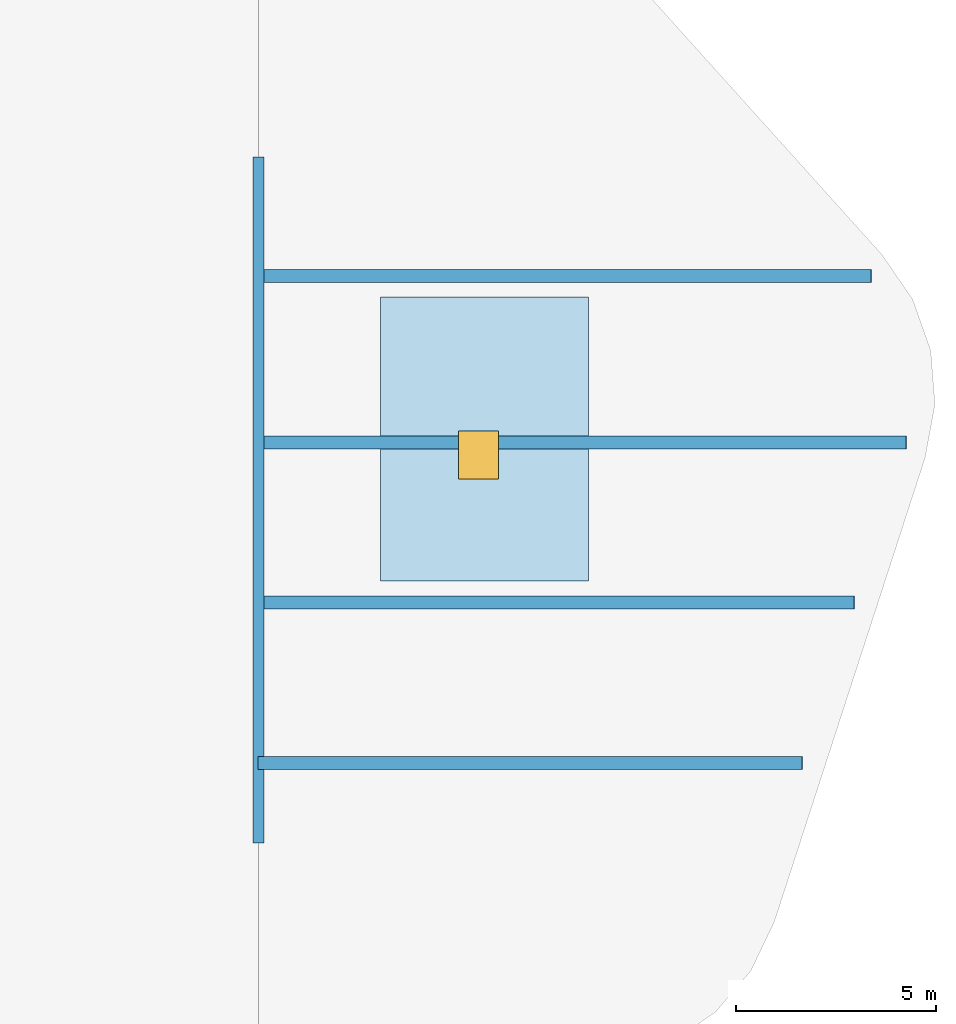
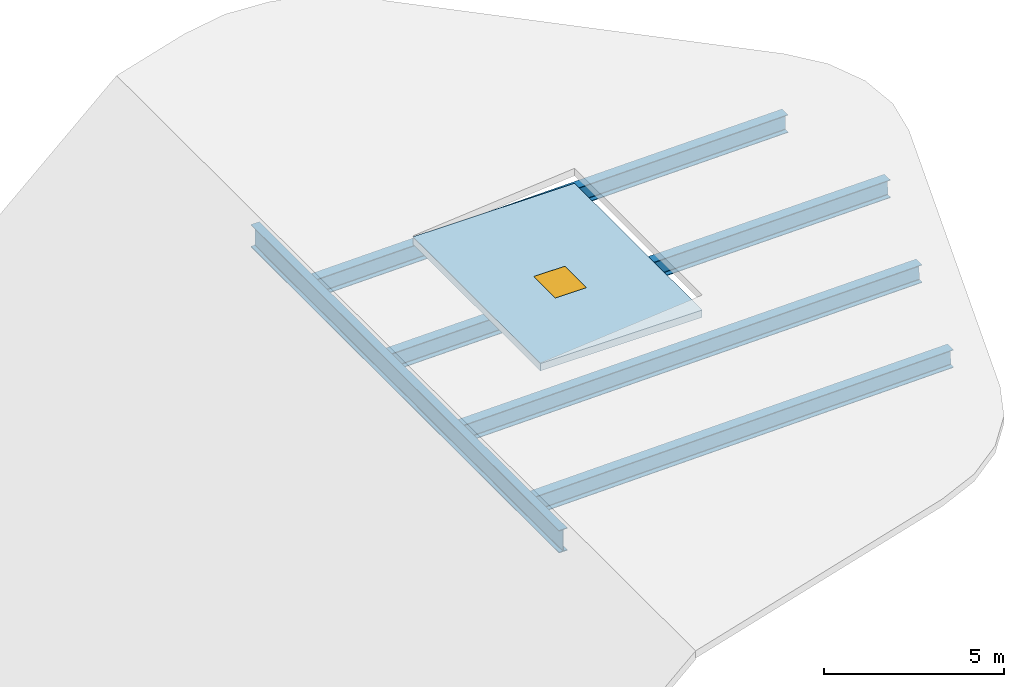
# One storey, part 1 of 2: 5 beams, 1 slab, 1 window, 1 opening.
"""IFC4 building model written with IfcOpenShell, lengths in metres."""

import ifcopenshell
import ifcopenshell.guid

model = None  # the IFC model being written
_history = None  # IfcOwnerHistory: only IFC2X3 demands one
_inside = {}  # id of a spatial element -> (the spatial element, [elements in it])
_under = {}  # id of a project, library or spatial element -> (it, [spatial elements below it])
_declared = {}  # id of a project -> (the project, [libraries it declares])
_typed = {}  # id of a type object -> (the type object, [elements of that type])
_made_of = {}  # id of a material, layer set ... -> (it, [elements and type objects made of it])


def new_model(schema):
    """Start an empty IFC model of exactly this schema.

    Asked for "IFC4X3", IfcOpenShell would pick the latest addendum, in which some entities
    have other attributes; the version numbers below select the first issue.
    IFC2X3 requires an IfcOwnerHistory on every rooted entity: one is made here for all.
    """
    global model, _history
    if schema == "IFC4X3":
        model = ifcopenshell.file(schema_version=(4, 3, 0, 0))
    else:
        model = ifcopenshell.file(schema=schema)
    _inside.clear()
    _under.clear()
    _declared.clear()
    _typed.clear()
    _made_of.clear()
    _history = None
    if model.schema == "IFC2X3":
        org = make("IfcOrganization", Name="unknown")
        user = make(
            "IfcPersonAndOrganization",
            ThePerson=make("IfcPerson", FamilyName="unknown"),
            TheOrganization=org,
        )
        app = make(
            "IfcApplication",
            ApplicationDeveloper=org,
            Version="unknown",
            ApplicationFullName="unknown",
            ApplicationIdentifier="unknown",
        )
        _history = make(
            "IfcOwnerHistory",
            OwningUser=user,
            OwningApplication=app,
            ChangeAction="ADDED",
            CreationDate=0,
        )
    return model


def make(cls, **values):
    """One entity of the class cls with the attributes given. An attribute that is None is left unset."""
    return model.create_entity(
        cls, **{name: value for name, value in values.items() if value is not None}
    )


def rooted(cls, **values):
    """An entity with a GlobalId (a new one), such as an element, a storey or a relation."""
    return make(cls, GlobalId=ifcopenshell.guid.new(), OwnerHistory=_history, **values)


def si_unit(unit_type, name, prefix=None):
    """IfcSIUnit, for example si_unit("LENGTHUNIT", "METRE", prefix="MILLI")."""
    return make("IfcSIUnit", UnitType=unit_type, Prefix=prefix, Name=name)


def assignment(units):
    """IfcUnitAssignment: the units of a project."""
    return None if units is None else make("IfcUnitAssignment", Units=units)


def point(xyz):
    """IfcCartesianPoint."""
    return None if xyz is None else make("IfcCartesianPoint", Coordinates=xyz)


def direction(xyz):
    """IfcDirection."""
    return None if xyz is None else make("IfcDirection", DirectionRatios=xyz)


def frame(location, z_axis=None, x_axis=None):
    """IfcAxis2Placement3D, a coordinate frame: its origin and axes. An axis left out is left unset."""
    return make(
        "IfcAxis2Placement3D",
        Location=point(location),
        Axis=direction(z_axis),
        RefDirection=direction(x_axis),
    )


def frame_2d(location, x_axis=None):
    """IfcAxis2Placement2D, a coordinate frame in the plane: its origin and x axis."""
    return make(
        "IfcAxis2Placement2D", Location=point(location), RefDirection=direction(x_axis)
    )


def origin():
    """The frame at (0, 0, 0) with its axes left unset."""
    return frame((0.0, 0.0, 0.0))


def origin_2d():
    """The frame at (0, 0) in the plane with its x axis left unset."""
    return frame_2d((0.0, 0.0))


def place(relative_to, where):
    """IfcLocalPlacement: puts the frame where relative to a parent placement (None: the world)."""
    return make(
        "IfcLocalPlacement", PlacementRelTo=relative_to, RelativePlacement=where
    )


def context(
    kind, dimensions, precision=None, world=None, true_north=None, identifier=None
):
    """IfcGeometricRepresentationContext, for example the 3D "Model" context."""
    return make(
        "IfcGeometricRepresentationContext",
        ContextIdentifier=identifier,
        ContextType=kind,
        CoordinateSpaceDimension=dimensions,
        Precision=precision,
        WorldCoordinateSystem=world,
        TrueNorth=true_north,
    )


def subcontext(parent, identifier, kind, view, scale=None):
    """IfcGeometricRepresentationSubContext, for example "Body" below "Model"."""
    return make(
        "IfcGeometricRepresentationSubContext",
        ContextIdentifier=identifier,
        ContextType=kind,
        ParentContext=parent,
        TargetScale=scale,
        TargetView=view,
    )


def project(units=None, contexts=None):
    """IfcProject with its units and contexts."""
    return rooted(
        "IfcProject",
        Name="project",
        RepresentationContexts=contexts,
        UnitsInContext=assignment(units),
    )


def spatial(cls, under=None, at=None, **own):
    """A site, building, storey or space (cls), placed at a placement, below another one or the project."""
    s = rooted(cls, ObjectPlacement=at, **own)
    if under is not None:
        _under.setdefault(under.id(), (under, []))[1].append(s)
    return s


def polyline(points):
    """IfcPolyline through the points."""
    return make("IfcPolyline", Points=[point(p) for p in points])


def profile(cls, at=None, kind="AREA", **sizes):
    """A parametric profile (cls). Its sizes go by their IFC names, for example OverallWidth=200.0."""
    return make(cls, ProfileType=kind, Position=at, **sizes)


def rectangle(**sizes):
    """IfcRectangleProfileDef."""
    return profile("IfcRectangleProfileDef", **sizes)


def i_section(**sizes):
    """IfcIShapeProfileDef."""
    return profile("IfcIShapeProfileDef", **sizes)


def outline(outer, holes=None, kind="AREA"):
    """IfcArbitraryClosedProfileDef: a profile drawn as a closed curve; with holes, ...WithVoids."""
    if holes is None:
        return make("IfcArbitraryClosedProfileDef", ProfileType=kind, OuterCurve=outer)
    return make(
        "IfcArbitraryProfileDefWithVoids",
        ProfileType=kind,
        OuterCurve=outer,
        InnerCurves=holes,
    )


def extrude(swept, where, along, depth):
    """IfcExtrudedAreaSolid: the profile swept, set in the frame where, extruded along a direction by depth."""
    return make(
        "IfcExtrudedAreaSolid",
        SweptArea=swept,
        Position=where,
        ExtrudedDirection=direction(along),
        Depth=depth,
    )


def shape(context_of_items, identifier, shape_type, items):
    """IfcShapeRepresentation: the items that make up one representation, for example the "Body"."""
    return make(
        "IfcShapeRepresentation",
        ContextOfItems=context_of_items,
        RepresentationIdentifier=identifier,
        RepresentationType=shape_type,
        Items=items,
    )


def material(Name=None, Category=None):
    """IfcMaterial."""
    return make("IfcMaterial", Name=Name, Category=Category)


def layer(
    of_material, thickness, ventilated=None, Name=None, Category=None, Priority=None
):
    """IfcMaterialLayer: one layer of a wall or slab, of a material (None: an air gap)."""
    return make(
        "IfcMaterialLayer",
        Material=of_material,
        LayerThickness=thickness,
        IsVentilated=ventilated,
        Name=Name,
        Category=Category,
        Priority=Priority,
    )


def layer_set(layers, Name=None):
    """IfcMaterialLayerSet."""
    return make("IfcMaterialLayerSet", MaterialLayers=layers, LayerSetName=Name)


def material_profile(
    of_material, cross_section, Name=None, Category=None, Priority=None
):
    """IfcMaterialProfile: a cross section and its material."""
    return make(
        "IfcMaterialProfile",
        Name=Name,
        Material=of_material,
        Profile=cross_section,
        Priority=Priority,
        Category=Category,
    )


def profile_set(profiles, Name=None, composite=None):
    """IfcMaterialProfileSet."""
    return make(
        "IfcMaterialProfileSet",
        Name=Name,
        MaterialProfiles=profiles,
        CompositeProfile=composite,
    )


def made_of(thing, what):
    """Note that an element or type object is made of a material, layer set ...; save() writes the relation."""
    if what is not None:
        _made_of.setdefault(what.id(), (what, []))[1].append(thing)
    return thing


def type_object(cls, material=None, **own):
    """A type object (cls), such as IfcWallType, which elements share."""
    return made_of(rooted(cls, **own), material)


def element(
    cls,
    number,
    at=None,
    inside=None,
    cuts=None,
    type_object=None,
    material=None,
    context=None,
    identifier="Body",
    shape_type=None,
    held_by="IfcProductDefinitionShape",
    body=None,
    shapes=None,
    **own,
):
    """One element of the class cls, such as IfcWall. Its Tag is "e" and its number.

    at: its placement. inside: the storey or other place that contains it. cuts: it is an
    opening in that element (IfcRelVoidsElement). A single representation is given by context,
    identifier, shape_type and body (its items); several are given by shapes. held_by: the class
    of the entity that holds the representations. save() writes the other relations.
    """
    e = rooted(cls, Tag="e%d" % number, ObjectPlacement=at, **own)
    if body is not None:
        shapes = [shape(context, identifier, shape_type, body)]
    if shapes is not None:
        e.Representation = make(held_by, Representations=shapes)
    if inside is not None:
        _inside.setdefault(inside.id(), (inside, []))[1].append(e)
    if cuts is not None:
        rooted(
            "IfcRelVoidsElement", RelatingBuildingElement=cuts, RelatedOpeningElement=e
        )
    if type_object is not None:
        _typed.setdefault(type_object.id(), (type_object, []))[1].append(e)
    return made_of(e, material)


def fill(opening, filler):
    """IfcRelFillsElement: the door or window that sits in an opening."""
    return rooted(
        "IfcRelFillsElement",
        RelatingOpeningElement=opening,
        RelatedBuildingElement=filler,
    )


def aggregate(whole, parts):
    """IfcRelAggregates: a whole, such as a stair, and the parts it consists of."""
    return rooted("IfcRelAggregates", RelatingObject=whole, RelatedObjects=parts)


def save(model, path):
    """Write the relations noted so far, then the file.

    IfcRelAggregates (storeys below a building ...), IfcRelContainedInSpatialStructure (elements
    in a storey), IfcRelDefinesByType, IfcRelAssociatesMaterial and IfcRelDeclares: one each for
    every whole, place, type object, material and project.
    """
    for whole, parts in _under.values():
        aggregate(whole, parts)
    for where, things in _inside.values():
        rooted(
            "IfcRelContainedInSpatialStructure",
            RelatedElements=things,
            RelatingStructure=where,
        )
    for kind, things in _typed.values():
        rooted("IfcRelDefinesByType", RelatedObjects=things, RelatingType=kind)
    for what, things in _made_of.values():
        rooted("IfcRelAssociatesMaterial", RelatedObjects=things, RelatingMaterial=what)
    for by, libraries in _declared.values():
        rooted("IfcRelDeclares", RelatingContext=by, RelatedDefinitions=libraries)
    model.write(path)


model = new_model("IFC4")

# Units and contexts
model_context = context("Model", 3, precision=1e-05, world=origin(), true_north=direction((0.0, 1.0)))
body_context = subcontext(model_context, "Body", "Model", "MODEL_VIEW")
ifc_project = project(units=[si_unit("LENGTHUNIT", "METRE"), si_unit("AREAUNIT", "SQUARE_METRE"), si_unit("VOLUMEUNIT", "CUBIC_METRE"), si_unit("PLANEANGLEUNIT", "RADIAN"), si_unit("MASSUNIT", "GRAM", prefix="KILO")], contexts=[model_context])

# Site, building, storey
site_placement = place(None, origin())
site = spatial("IfcSite", under=ifc_project, at=site_placement, CompositionType="ELEMENT")
building_placement = place(site_placement, origin())
building = spatial("IfcBuilding", under=site, at=building_placement, Name="Valkerne Bourse Tower", CompositionType="ELEMENT")
storey_placement = place(building_placement, frame((0.0, 0.0, 338.199951171875)))
storey = spatial("IfcBuildingStorey", under=building, at=storey_placement, Name="RF", CompositionType="ELEMENT", Elevation=338.199951171875)

# Beams
ifc_material_1 = material(Name="Steel ASTM A992", Category="steel")
ifc_material_profile_1 = material_profile(ifc_material_1, i_section(OverallWidth=0.3251953125, OverallDepth=0.612060546875, WebThickness=0.0126953125, FlangeThickness=0.01904296875, FilletRadius=0.020263671875, at=origin_2d()), Name="W24X104")
ifc_profile_set_1 = profile_set([ifc_material_profile_1], Name="Steel ASTM A992")
beam_type_1 = type_object("IfcBeamType", Name="BM-W24X104", PredefinedType="BEAM", material=ifc_profile_set_1)
beam_1_placement = place(storey_placement, frame((47.0, 20.300048828125, -0.619873046875), z_axis=(0.999755272194, 0.0, 0.02212229013), x_axis=(0.0, 1.0, 0.0)))
element("IfcBeam", 1, at=beam_1_placement, inside=storey, type_object=beam_type_1, Name="RF Crown Apex Rafter East 1", PredefinedType="BEAM", context=body_context, shape_type="SweptSolid", body=[
    extrude(i_section(OverallWidth=0.3251953125, OverallDepth=0.612060546875, WebThickness=0.0126953125, FlangeThickness=0.01904296875, FilletRadius=0.020263671875, at=origin_2d()), origin(), (0.0, 0.0, 1.0), 13.607421875),
])
beam_2_placement = place(storey_placement, frame((47.0, 24.305908203125, -0.619873046875), z_axis=(0.999796145233, 0.0, 0.020190789404), x_axis=(0.0, 1.0, 0.0)))
element("IfcBeam", 2, at=beam_2_placement, inside=storey, type_object=beam_type_1, Name="RF Crown Apex Rafter East 2", PredefinedType="BEAM", context=body_context, shape_type="SweptSolid", body=[
    extrude(i_section(OverallWidth=0.3251953125, OverallDepth=0.612060546875, WebThickness=0.0126953125, FlangeThickness=0.01904296875, FilletRadius=0.020263671875, at=origin_2d()), origin(), (0.0, 0.0, 1.0), 14.908935546875),
])
beam_3_placement = place(storey_placement, frame((47.0, 28.31201171875, -0.619873046875), z_axis=(0.999827552473, 0.0, 0.018570549714), x_axis=(0.0, 1.0, 0.0)))
element("IfcBeam", 3, at=beam_3_placement, inside=storey, type_object=beam_type_1, Name="RF Crown Apex Rafter East 3", PredefinedType="BEAM", context=body_context, shape_type="SweptSolid", body=[
    extrude(i_section(OverallWidth=0.3251953125, OverallDepth=0.612060546875, WebThickness=0.0126953125, FlangeThickness=0.01904296875, FilletRadius=0.020263671875, at=origin_2d()), origin(), (0.0, 0.0, 1.0), 16.209716796875),
])
beam_4_placement = place(storey_placement, frame((47.0, 32.47509765625, -0.619873046875), z_axis=(0.99980706171, 0.0, 0.019642793975), x_axis=(0.0, 1.0, 0.0)))
element("IfcBeam", 4, at=beam_4_placement, inside=storey, type_object=beam_type_1, Name="RF Crown Apex Rafter East 4", PredefinedType="BEAM", context=body_context, shape_type="SweptSolid", body=[
    extrude(i_section(OverallWidth=0.3251953125, OverallDepth=0.612060546875, WebThickness=0.0126953125, FlangeThickness=0.01904296875, FilletRadius=0.020263671875, at=origin_2d()), origin(), (0.0, 0.0, 1.0), 15.324951171875),
])
ifc_material_profile_2 = material_profile(ifc_material_1, i_section(OverallWidth=0.26806640625, OverallDepth=0.76953125, WebThickness=0.015625, FlangeThickness=0.025390625, FilletRadius=0.025390625, at=origin_2d()), Name="W30X132")
ifc_profile_set_2 = profile_set([ifc_material_profile_2], Name="Steel ASTM A992")
beam_type_2 = type_object("IfcBeamType", Name="BM-W30X132", PredefinedType="BEAM", material=ifc_profile_set_2)
beam_5_placement = place(storey_placement, frame((47.0, 18.300048828125, -0.619873046875), z_axis=(0.0, 1.0, 0.0), x_axis=(-1.0, 0.0, 0.0)))
element("IfcBeam", 5, at=beam_5_placement, inside=storey, type_object=beam_type_2, Name="RF Crown Ridge Girder", PredefinedType="BEAM", context=body_context, shape_type="SweptSolid", body=[
    extrude(i_section(OverallWidth=0.26806640625, OverallDepth=0.76953125, WebThickness=0.015625, FlangeThickness=0.025390625, FilletRadius=0.025390625, at=origin_2d()), origin(), (0.0, 0.0, 1.0), 17.14990234375),
])

# Slab, opening, window
ifc_material_2 = material(Name="Concrete C40/50", Category="concrete")
ifc_layer = layer(ifc_material_2, 0.25)
ifc_layer_set = layer_set([ifc_layer], Name="Concrete C40/50")
slab_type = type_object("IfcSlabType", Name="SLB-HATCH-250", PredefinedType="ROOF", material=ifc_layer_set)
slab_placement = place(storey_placement, frame((0.0, 0.0, 0.10009765625)))
slab = element("IfcSlab", 6, at=slab_placement, inside=storey, type_object=slab_type, Name="RF Horizontal Roof Hatch Curb Slab", PredefinedType="ROOF", context=body_context, shape_type="SweptSolid", body=[
    extrude(outline(polyline([(50.050048828125, 24.85009765625), (55.25, 24.85009765625), (55.25, 31.949951171875), (50.050048828125, 31.949951171875), (50.050048828125, 24.85009765625)]), holes=[polyline([(52.0, 27.39990234375), (53.0, 27.39990234375), (53.0, 28.60009765625), (52.0, 28.60009765625), (52.0, 27.39990234375)])]), origin(), (0.0, 0.0, 1.0), 0.25),
])
opening_placement = place(slab_placement, frame((52.5, 28.0, 0.0)))
opening = element("IfcOpeningElement", 7, at=opening_placement, cuts=slab, Name="Opening HT-1000", PredefinedType="OPENING", context=body_context, shape_type="SweptSolid", body=[
    extrude(rectangle(XDim=1.0, YDim=1.199951171875, at=origin_2d()), origin(), (0.0, 0.0, 1.0), 0.25),
])
ifc_material_3 = material(Name="Bronze Anodised Aluminium AA 6063-T6", Category="aluminium")
window_type = type_object("IfcWindowType", Name="WIN-RF-HATCH", PartitioningType="SINGLE_PANEL", PredefinedType="SKYLIGHT", material=ifc_material_3)
window_placement = place(opening_placement, frame((0.0, 0.0, 0.199951171875)))
window = element("IfcWindow", 8, at=window_placement, inside=storey, type_object=window_type, Name="RF Roof Maintenance Access Hatch HT-1000", OverallHeight=1.199951171875, OverallWidth=1.0, PartitioningType="SINGLE_PANEL", PredefinedType="SKYLIGHT", context=body_context, shape_type="SweptSolid", body=[
    extrude(rectangle(XDim=1.0, YDim=1.199951171875, at=origin_2d()), origin(), (0.0, 0.0, 1.0), 0.050048828125),
])
fill(opening, window)

save(model, "model.ifc")
